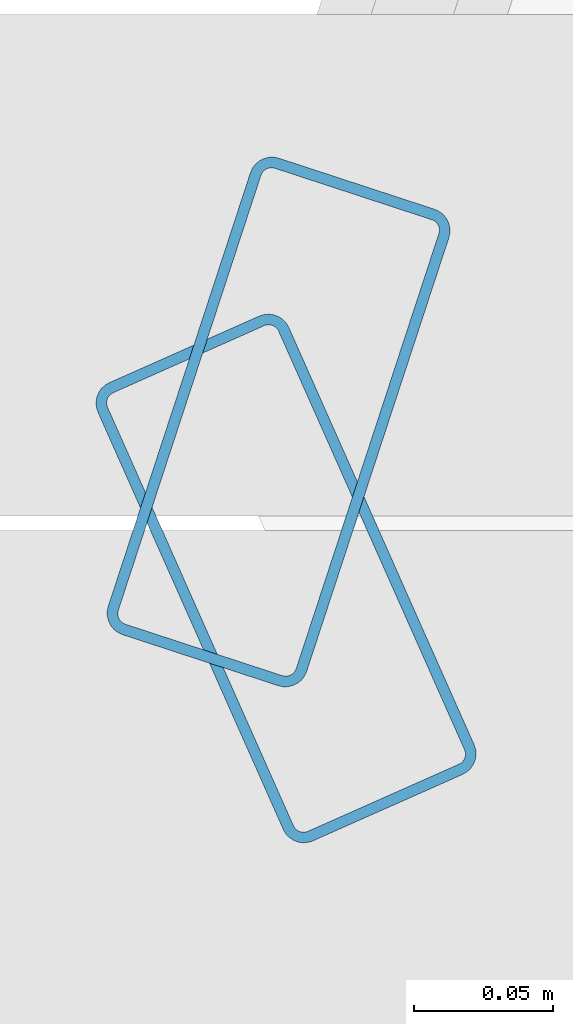
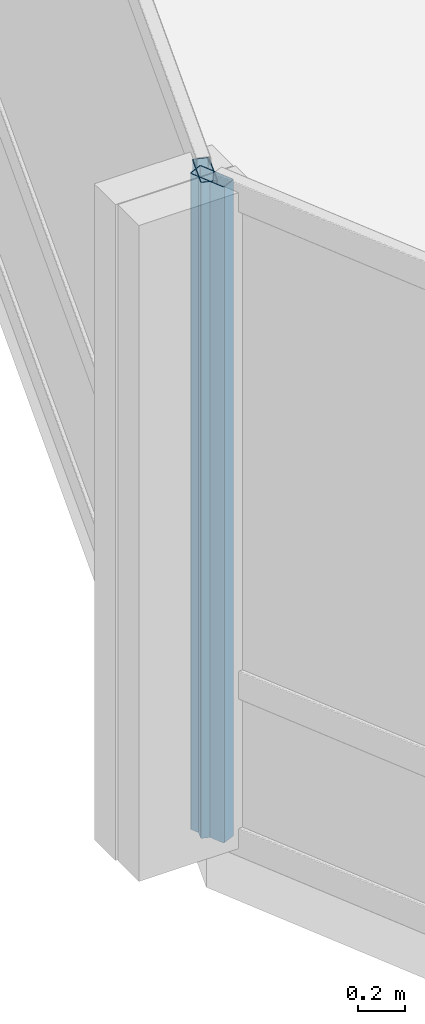
# One storey, part 6 of 34: 2 members, 2 elements without a shape of their own.
"""IFC4 building model written with IfcOpenShell, lengths in metres."""

from ifc_helpers import new_model, si_unit, direction, frame, origin, origin_2d, place, context, subcontext, project, spatial, hollow_rectangle, extrude, material, layer, layer_set, material_profile, profile_set, type_object, element, aggregate, save


model = new_model("IFC4")

# Units and contexts
model_context = context("Model", 3, precision=1e-05, world=origin(), true_north=direction((0.0, 1.0)))
body_context = subcontext(model_context, "Body", "Model", "MODEL_VIEW")
ifc_project = project(units=[si_unit("LENGTHUNIT", "METRE"), si_unit("AREAUNIT", "SQUARE_METRE"), si_unit("VOLUMEUNIT", "CUBIC_METRE"), si_unit("PLANEANGLEUNIT", "RADIAN"), si_unit("MASSUNIT", "GRAM", prefix="KILO")], contexts=[model_context])

# Site, building, storey
site_placement = place(None, origin())
site = spatial("IfcSite", under=ifc_project, at=site_placement, CompositionType="ELEMENT")
building_placement = place(site_placement, origin())
building = spatial("IfcBuilding", under=site, at=building_placement, Name="Solvaryn Broadcast Tower", CompositionType="ELEMENT")
storey_placement = place(building_placement, frame((0.0, 0.0, 73.0)))
storey = spatial("IfcBuildingStorey", under=building, at=storey_placement, Name="L17", CompositionType="ELEMENT", Elevation=73.0)

# Curtain wall, member
ifc_material_1 = material(Name="Aluminium and Terracotta Unitised Curtain Wall", Category="masonry")
ifc_layer = layer(ifc_material_1, 0.199951171875)
ifc_layer_set = layer_set([ifc_layer], Name="CW-SYS2-LOWMID")
curtain_wall_type = type_object("IfcCurtainWallType", Name="CW-SYS2-LOWMID", PredefinedType="NOTDEFINED", material=ifc_layer_set)
curtain_wall_1_placement = place(storey_placement, origin())
curtain_wall_1 = element("IfcCurtainWall", 1, at=curtain_wall_1_placement, inside=storey, type_object=curtain_wall_type, Name="L17 Curtain Wall DR1", PredefinedType="NOTDEFINED")
ifc_material_2 = material(Name="Anodised Aluminium 6063-T6", Category="aluminium")
ifc_material_profile = material_profile(ifc_material_2, hollow_rectangle(XDim=0.074951171875, YDim=0.179931640625, WallThickness=0.00390625, InnerFilletRadius=0.00390625, OuterFilletRadius=0.008056640625, at=origin_2d()))
ifc_profile_set = profile_set([ifc_material_profile], Name="Anodised Aluminium 6063-T6")
member_type = type_object("IfcMemberType", Name="CW-MUL-180", PredefinedType="MULLION", material=ifc_profile_set)
member_1_placement = place(storey_placement, frame((-0.45458984375, 26.588623046875, 0.0), z_axis=(0.0, 0.0, 1.0), x_axis=(0.950215318429, -0.311594044587, 0.0)))
member_1 = element("IfcMember", 2, at=member_1_placement, type_object=member_type, Name="CWS2 mullion 2", PredefinedType="MULLION", context=body_context, shape_type="SweptSolid", body=[
    extrude(hollow_rectangle(XDim=0.074951171875, YDim=0.179931640625, WallThickness=0.00390625, InnerFilletRadius=0.00390625, OuterFilletRadius=0.008056640625, at=origin_2d()), origin(), (0.0, 0.0, 1.0), 3.419921875),
])
aggregate(curtain_wall_1, [member_1])

curtain_wall_2_placement = place(storey_placement, origin())
curtain_wall_2 = element("IfcCurtainWall", 3, at=curtain_wall_2_placement, inside=storey, type_object=curtain_wall_type, Name="L17 Curtain Wall DR2", PredefinedType="NOTDEFINED")
member_2_placement = place(storey_placement, frame((-0.451904296875, 26.532470703125, 0.0), z_axis=(0.0, 0.0, 1.0), x_axis=(0.913918257271, 0.405898286554, 0.0)))
member_2 = element("IfcMember", 4, at=member_2_placement, type_object=member_type, Name="CWS2 mullion 1", PredefinedType="MULLION", context=body_context, shape_type="SweptSolid", body=[
    extrude(hollow_rectangle(XDim=0.074951171875, YDim=0.179931640625, WallThickness=0.00390625, InnerFilletRadius=0.00390625, OuterFilletRadius=0.008056640625, at=origin_2d()), origin(), (0.0, 0.0, 1.0), 3.419921875),
])
aggregate(curtain_wall_2, [member_2])

save(model, "model.ifc")
